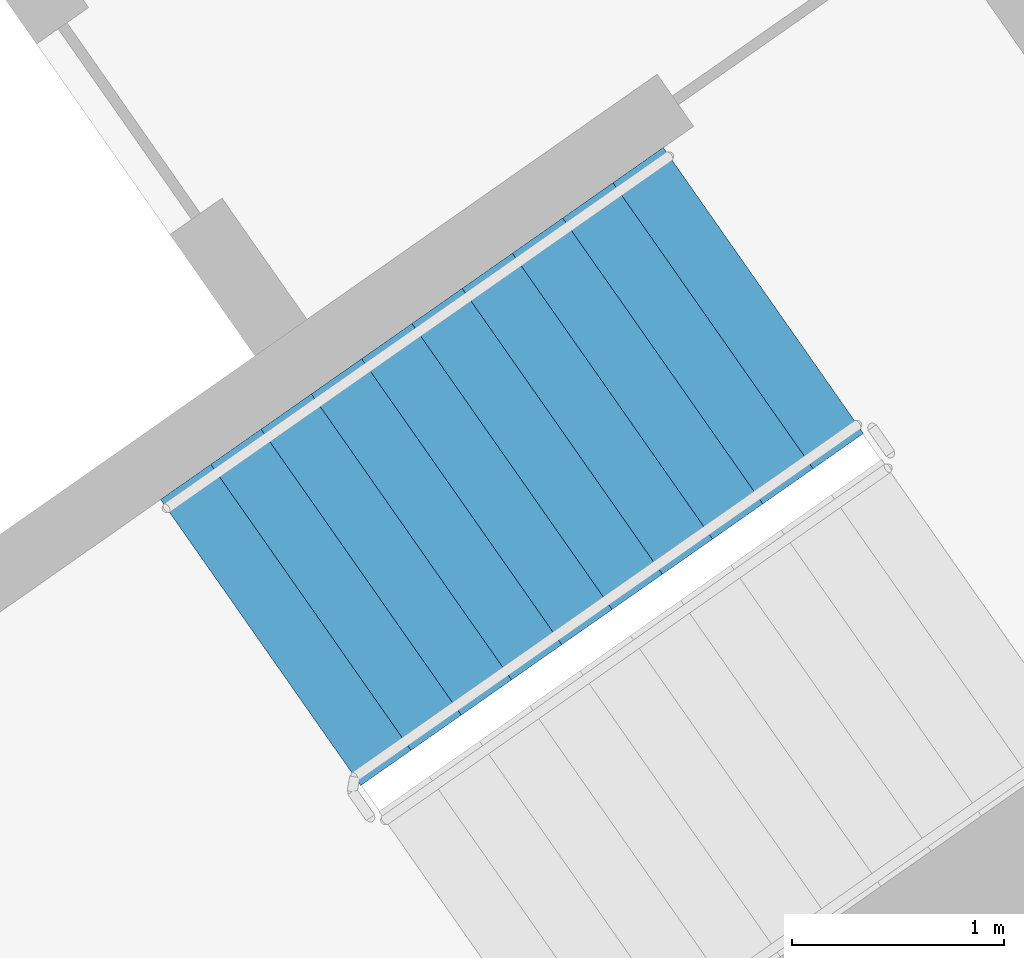
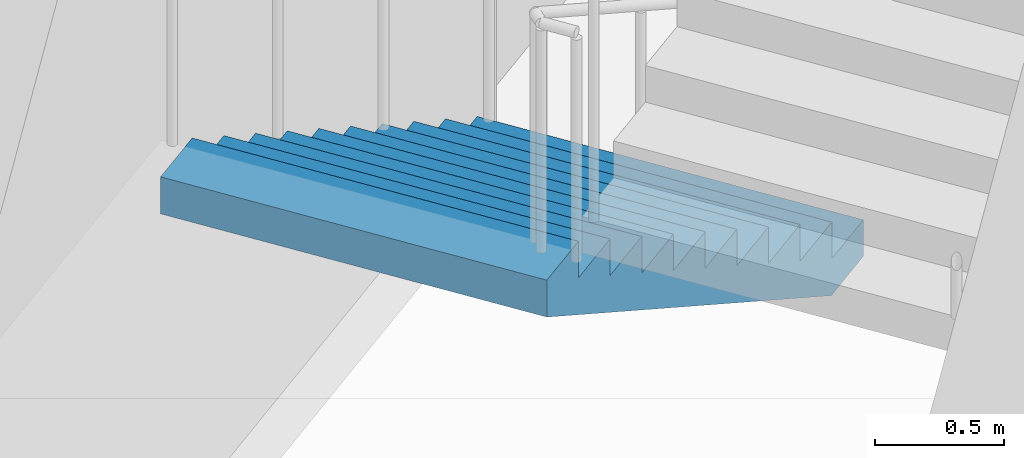
# One storey, part 17 of 30: 1 stair flight, 1 element without a shape of its own.
"""IFC4 building model written with IfcOpenShell, lengths in metres."""

from ifc_helpers import new_model, si_unit, direction, frame, origin, place, context, subcontext, project, spatial, faceted_brep, material, type_object, element, aggregate, save


model = new_model("IFC4")

# Units and contexts
model_context = context("Model", 3, precision=1e-05, world=origin(), true_north=direction((0.0, 1.0)))
body_context = subcontext(model_context, "Body", "Model", "MODEL_VIEW")
ifc_project = project(units=[si_unit("LENGTHUNIT", "METRE"), si_unit("AREAUNIT", "SQUARE_METRE"), si_unit("VOLUMEUNIT", "CUBIC_METRE"), si_unit("PLANEANGLEUNIT", "RADIAN"), si_unit("MASSUNIT", "GRAM", prefix="KILO")], contexts=[model_context])

# Site, building, storey
site_placement = place(None, origin())
site = spatial("IfcSite", under=ifc_project, at=site_placement, CompositionType="ELEMENT")
building_placement = place(site_placement, origin())
building = spatial("IfcBuilding", under=site, at=building_placement, Name="Qamariyya Broadcast Tower", CompositionType="ELEMENT")
storey_placement = place(building_placement, frame((0.0, 0.0, 125.300048828125)))
storey = spatial("IfcBuildingStorey", under=building, at=storey_placement, Name="L28", CompositionType="ELEMENT", Elevation=125.300048828125)

# Stair, stair flight
ifc_material = material(Name="Concrete C50/60", Category="concrete")
stair_type = type_object("IfcStairType", Name="Exit stair 22 risers of 173 mm", PredefinedType="HALF_TURN_STAIR", material=ifc_material)
stair_placement = place(storey_placement, origin())
stair = element("IfcStair", 1, at=stair_placement, inside=storey, type_object=stair_type, Name="L28 Stair E1", PredefinedType="HALF_TURN_STAIR")
stair_flight_type = type_object("IfcStairFlightType", Name="Exit stair flight 11 risers of 173 mm", PredefinedType="STRAIGHT", material=ifc_material)
stair_flight_placement = place(storey_placement, frame((46.036376953125, -55.508056640625, 0.0), z_axis=(0.0, 0.0, 1.0), x_axis=(-0.819152044289, -0.573576436351, 0.0)))
stair_flight = element("IfcStairFlight", 2, at=stair_flight_placement, type_object=stair_flight_type, Name="ST-E1 flight 1", NumberOfRisers=11, NumberOfTreads=10, PredefinedType="STRAIGHT", RiserHeight=0.172727273, TreadLength=0.29, context=body_context, shape_type="Brep", body=[
    faceted_brep([(0.0, 0.824951171875, 0.0), (0.0, 0.824951171875, 0.172607421875), (0.2900390625, 0.824951171875, 0.172607421875), (0.2900390625, 0.824951171875, 0.345458984375), (0.580078125, 0.824951171875, 0.345458984375), (0.580078125, 0.824951171875, 0.51806640625), (0.8701171875, 0.824951171875, 0.51806640625), (0.8701171875, 0.824951171875, 0.69091796875), (1.159912109375, 0.824951171875, 0.69091796875), (1.159912109375, 0.824951171875, 0.863525390625), (1.449951171875, 0.824951171875, 0.863525390625), (1.449951171875, 0.824951171875, 1.036376953125), (1.739990234375, 0.824951171875, 1.036376953125), (1.739990234375, 0.824951171875, 1.208984375), (2.030029296875, 0.824951171875, 1.208984375), (2.030029296875, 0.824951171875, 1.3818359375), (2.320068359375, 0.824951171875, 1.3818359375), (2.320068359375, 0.824951171875, 1.554443359375), (2.610107421875, 0.824951171875, 1.554443359375), (2.610107421875, 0.824951171875, 1.727294921875), (2.89990234375, 0.824951171875, 1.727294921875), (2.89990234375, 0.824951171875, 1.552734375), (0.29296875, 0.824951171875, 0.0), (0.29296875, -0.824951171875, 0.0), (2.89990234375, -0.824951171875, 1.552734375), (2.89990234375, -0.824951171875, 1.727294921875), (2.610107421875, -0.824951171875, 1.727294921875), (2.610107421875, -0.824951171875, 1.554443359375), (2.320068359375, -0.824951171875, 1.554443359375), (2.320068359375, -0.824951171875, 1.3818359375), (2.030029296875, -0.824951171875, 1.3818359375), (2.030029296875, -0.824951171875, 1.208984375), (1.739990234375, -0.824951171875, 1.208984375), (1.739990234375, -0.824951171875, 1.036376953125), (1.449951171875, -0.824951171875, 1.036376953125), (1.449951171875, -0.824951171875, 0.863525390625), (1.159912109375, -0.824951171875, 0.863525390625), (1.159912109375, -0.824951171875, 0.69091796875), (0.8701171875, -0.824951171875, 0.69091796875), (0.8701171875, -0.824951171875, 0.51806640625), (0.580078125, -0.824951171875, 0.51806640625), (0.580078125, -0.824951171875, 0.345458984375), (0.2900390625, -0.824951171875, 0.345458984375), (0.2900390625, -0.824951171875, 0.172607421875), (0.0, -0.824951171875, 0.172607421875), (0.0, -0.824951171875, 0.0), (0.0, 0.10009765625, 0.0), (0.0, 0.086669921875, 0.0), (0.0, 0.0732421875, 0.0), (0.0, 0.06005859375, 0.0), (0.0, 0.046630859375, 0.0), (0.0, 0.033447265625, 0.0), (0.0, 0.02001953125, 0.0), (0.0, 0.006591796875, 0.0), (0.0, -0.006591796875, 0.0), (0.0, -0.02001953125, 0.0), (0.0, -0.033447265625, 0.0), (0.0, -0.046630859375, 0.0), (0.0, -0.06005859375, 0.0), (0.0, -0.0732421875, 0.0), (0.0, -0.086669921875, 0.0), (0.0, -0.10009765625, 0.0), (0.0, -0.10009765625, 0.172607421875), (0.0, -0.086669921875, 0.172607421875), (0.0, -0.0732421875, 0.172607421875), (0.0, -0.06005859375, 0.172607421875), (0.0, -0.046630859375, 0.172607421875), (0.0, -0.033447265625, 0.172607421875), (0.0, -0.02001953125, 0.172607421875), (0.0, -0.006591796875, 0.172607421875), (0.0, 0.006591796875, 0.172607421875), (0.0, 0.02001953125, 0.172607421875), (0.0, 0.033447265625, 0.172607421875), (0.0, 0.046630859375, 0.172607421875), (0.0, 0.06005859375, 0.172607421875), (0.0, 0.0732421875, 0.172607421875), (0.0, 0.086669921875, 0.172607421875), (0.0, 0.10009765625, 0.172607421875), (0.2900390625, -0.10009765625, 0.172607421875), (0.2900390625, -0.086669921875, 0.172607421875), (0.2900390625, -0.0732421875, 0.172607421875), (0.2900390625, -0.06005859375, 0.172607421875), (0.2900390625, -0.046630859375, 0.172607421875), (0.2900390625, -0.033447265625, 0.172607421875), (0.2900390625, -0.02001953125, 0.172607421875), (0.2900390625, -0.006591796875, 0.172607421875), (0.2900390625, 0.006591796875, 0.172607421875), (0.2900390625, 0.02001953125, 0.172607421875), (0.2900390625, 0.033447265625, 0.172607421875), (0.2900390625, 0.046630859375, 0.172607421875), (0.2900390625, 0.06005859375, 0.172607421875), (0.2900390625, 0.0732421875, 0.172607421875), (0.2900390625, 0.086669921875, 0.172607421875), (0.2900390625, 0.10009765625, 0.172607421875), (0.2900390625, -0.10009765625, 0.345458984375), (0.2900390625, -0.086669921875, 0.345458984375), (0.2900390625, -0.0732421875, 0.345458984375), (0.2900390625, -0.06005859375, 0.345458984375), (0.2900390625, -0.046630859375, 0.345458984375), (0.2900390625, -0.033447265625, 0.345458984375), (0.2900390625, -0.02001953125, 0.345458984375), (0.2900390625, -0.006591796875, 0.345458984375), (0.2900390625, 0.006591796875, 0.345458984375), (0.2900390625, 0.02001953125, 0.345458984375), (0.2900390625, 0.033447265625, 0.345458984375), (0.2900390625, 0.046630859375, 0.345458984375), (0.2900390625, 0.06005859375, 0.345458984375), (0.2900390625, 0.0732421875, 0.345458984375), (0.2900390625, 0.086669921875, 0.345458984375), (0.2900390625, 0.10009765625, 0.345458984375), (0.580078125, -0.10009765625, 0.345458984375), (0.580078125, -0.086669921875, 0.345458984375), (0.580078125, -0.0732421875, 0.345458984375), (0.580078125, -0.06005859375, 0.345458984375), (0.580078125, -0.046630859375, 0.345458984375), (0.580078125, -0.033447265625, 0.345458984375), (0.580078125, -0.02001953125, 0.345458984375), (0.580078125, -0.006591796875, 0.345458984375), (0.580078125, 0.006591796875, 0.345458984375), (0.580078125, 0.02001953125, 0.345458984375), (0.580078125, 0.033447265625, 0.345458984375), (0.580078125, 0.046630859375, 0.345458984375), (0.580078125, 0.06005859375, 0.345458984375), (0.580078125, 0.0732421875, 0.345458984375), (0.580078125, 0.086669921875, 0.345458984375), (0.580078125, 0.10009765625, 0.345458984375), (0.580078125, -0.10009765625, 0.51806640625), (0.580078125, -0.086669921875, 0.51806640625), (0.580078125, -0.0732421875, 0.51806640625), (0.580078125, -0.06005859375, 0.51806640625), (0.580078125, -0.046630859375, 0.51806640625), (0.580078125, -0.033447265625, 0.51806640625), (0.580078125, -0.02001953125, 0.51806640625), (0.580078125, -0.006591796875, 0.51806640625), (0.580078125, 0.006591796875, 0.51806640625), (0.580078125, 0.02001953125, 0.51806640625), (0.580078125, 0.033447265625, 0.51806640625), (0.580078125, 0.046630859375, 0.51806640625), (0.580078125, 0.06005859375, 0.51806640625), (0.580078125, 0.0732421875, 0.51806640625), (0.580078125, 0.086669921875, 0.51806640625), (0.580078125, 0.10009765625, 0.51806640625), (0.8701171875, -0.10009765625, 0.51806640625), (0.8701171875, -0.086669921875, 0.51806640625), (0.8701171875, -0.0732421875, 0.51806640625), (0.8701171875, -0.06005859375, 0.51806640625), (0.8701171875, -0.046630859375, 0.51806640625), (0.8701171875, -0.033447265625, 0.51806640625), (0.8701171875, -0.02001953125, 0.51806640625), (0.8701171875, -0.006591796875, 0.51806640625), (0.8701171875, 0.006591796875, 0.51806640625), (0.8701171875, 0.02001953125, 0.51806640625), (0.8701171875, 0.033447265625, 0.51806640625), (0.8701171875, 0.046630859375, 0.51806640625), (0.8701171875, 0.06005859375, 0.51806640625), (0.8701171875, 0.0732421875, 0.51806640625), (0.8701171875, 0.086669921875, 0.51806640625), (0.8701171875, 0.10009765625, 0.51806640625), (0.8701171875, -0.10009765625, 0.69091796875), (0.8701171875, -0.086669921875, 0.69091796875), (0.8701171875, -0.0732421875, 0.69091796875), (0.8701171875, -0.06005859375, 0.69091796875), (0.8701171875, -0.046630859375, 0.69091796875), (0.8701171875, -0.033447265625, 0.69091796875), (0.8701171875, -0.02001953125, 0.69091796875), (0.8701171875, -0.006591796875, 0.69091796875), (0.8701171875, 0.006591796875, 0.69091796875), (0.8701171875, 0.02001953125, 0.69091796875), (0.8701171875, 0.033447265625, 0.69091796875), (0.8701171875, 0.046630859375, 0.69091796875), (0.8701171875, 0.06005859375, 0.69091796875), (0.8701171875, 0.0732421875, 0.69091796875), (0.8701171875, 0.086669921875, 0.69091796875), (0.8701171875, 0.10009765625, 0.69091796875), (1.159912109375, -0.10009765625, 0.69091796875), (1.159912109375, -0.086669921875, 0.69091796875), (1.159912109375, -0.0732421875, 0.69091796875), (1.159912109375, -0.06005859375, 0.69091796875), (1.159912109375, -0.046630859375, 0.69091796875), (1.159912109375, -0.033447265625, 0.69091796875), (1.159912109375, -0.02001953125, 0.69091796875), (1.159912109375, -0.006591796875, 0.69091796875), (1.159912109375, 0.006591796875, 0.69091796875), (1.159912109375, 0.02001953125, 0.69091796875), (1.159912109375, 0.033447265625, 0.69091796875), (1.159912109375, 0.046630859375, 0.69091796875), (1.159912109375, 0.06005859375, 0.69091796875), (1.159912109375, 0.0732421875, 0.69091796875), (1.159912109375, 0.086669921875, 0.69091796875), (1.159912109375, 0.10009765625, 0.69091796875), (1.159912109375, -0.10009765625, 0.863525390625), (1.159912109375, -0.086669921875, 0.863525390625), (1.159912109375, -0.0732421875, 0.863525390625), (1.159912109375, -0.06005859375, 0.863525390625), (1.159912109375, -0.046630859375, 0.863525390625), (1.159912109375, -0.033447265625, 0.863525390625), (1.159912109375, -0.02001953125, 0.863525390625), (1.159912109375, -0.006591796875, 0.863525390625), (1.159912109375, 0.006591796875, 0.863525390625), (1.159912109375, 0.02001953125, 0.863525390625), (1.159912109375, 0.033447265625, 0.863525390625), (1.159912109375, 0.046630859375, 0.863525390625), (1.159912109375, 0.06005859375, 0.863525390625), (1.159912109375, 0.0732421875, 0.863525390625), (1.159912109375, 0.086669921875, 0.863525390625), (1.159912109375, 0.10009765625, 0.863525390625), (1.449951171875, -0.10009765625, 0.863525390625), (1.449951171875, -0.086669921875, 0.863525390625), (1.449951171875, -0.0732421875, 0.863525390625), (1.449951171875, -0.06005859375, 0.863525390625), (1.449951171875, -0.046630859375, 0.863525390625), (1.449951171875, -0.033447265625, 0.863525390625), (1.449951171875, -0.02001953125, 0.863525390625), (1.449951171875, -0.006591796875, 0.863525390625), (1.449951171875, 0.006591796875, 0.863525390625), (1.449951171875, 0.02001953125, 0.863525390625), (1.449951171875, 0.033447265625, 0.863525390625), (1.449951171875, 0.046630859375, 0.863525390625), (1.449951171875, 0.06005859375, 0.863525390625), (1.449951171875, 0.0732421875, 0.863525390625), (1.449951171875, 0.086669921875, 0.863525390625), (1.449951171875, 0.10009765625, 0.863525390625), (1.449951171875, -0.10009765625, 1.036376953125), (1.449951171875, -0.086669921875, 1.036376953125), (1.449951171875, -0.0732421875, 1.036376953125), (1.449951171875, -0.06005859375, 1.036376953125), (1.449951171875, -0.046630859375, 1.036376953125), (1.449951171875, -0.033447265625, 1.036376953125), (1.449951171875, -0.02001953125, 1.036376953125), (1.449951171875, -0.006591796875, 1.036376953125), (1.449951171875, 0.006591796875, 1.036376953125), (1.449951171875, 0.02001953125, 1.036376953125), (1.449951171875, 0.033447265625, 1.036376953125), (1.449951171875, 0.046630859375, 1.036376953125), (1.449951171875, 0.06005859375, 1.036376953125), (1.449951171875, 0.0732421875, 1.036376953125), (1.449951171875, 0.086669921875, 1.036376953125), (1.449951171875, 0.10009765625, 1.036376953125), (1.739990234375, -0.10009765625, 1.036376953125), (1.739990234375, -0.086669921875, 1.036376953125), (1.739990234375, -0.0732421875, 1.036376953125), (1.739990234375, -0.06005859375, 1.036376953125), (1.739990234375, -0.046630859375, 1.036376953125), (1.739990234375, -0.033447265625, 1.036376953125), (1.739990234375, -0.02001953125, 1.036376953125), (1.739990234375, -0.006591796875, 1.036376953125), (1.739990234375, 0.006591796875, 1.036376953125), (1.739990234375, 0.02001953125, 1.036376953125), (1.739990234375, 0.033447265625, 1.036376953125), (1.739990234375, 0.046630859375, 1.036376953125), (1.739990234375, 0.06005859375, 1.036376953125), (1.739990234375, 0.0732421875, 1.036376953125), (1.739990234375, 0.086669921875, 1.036376953125), (1.739990234375, 0.10009765625, 1.036376953125), (1.739990234375, -0.10009765625, 1.208984375), (1.739990234375, -0.086669921875, 1.208984375), (1.739990234375, -0.0732421875, 1.208984375), (1.739990234375, -0.06005859375, 1.208984375), (1.739990234375, -0.046630859375, 1.208984375), (1.739990234375, -0.033447265625, 1.208984375), (1.739990234375, -0.02001953125, 1.208984375), (1.739990234375, -0.006591796875, 1.208984375), (1.739990234375, 0.006591796875, 1.208984375), (1.739990234375, 0.02001953125, 1.208984375), (1.739990234375, 0.033447265625, 1.208984375), (1.739990234375, 0.046630859375, 1.208984375), (1.739990234375, 0.06005859375, 1.208984375), (1.739990234375, 0.0732421875, 1.208984375), (1.739990234375, 0.086669921875, 1.208984375), (1.739990234375, 0.10009765625, 1.208984375), (2.030029296875, -0.10009765625, 1.208984375), (2.030029296875, -0.086669921875, 1.208984375), (2.030029296875, -0.0732421875, 1.208984375), (2.030029296875, -0.06005859375, 1.208984375), (2.030029296875, -0.046630859375, 1.208984375), (2.030029296875, -0.033447265625, 1.208984375), (2.030029296875, -0.02001953125, 1.208984375), (2.030029296875, -0.006591796875, 1.208984375), (2.030029296875, 0.006591796875, 1.208984375), (2.030029296875, 0.02001953125, 1.208984375), (2.030029296875, 0.033447265625, 1.208984375), (2.030029296875, 0.046630859375, 1.208984375), (2.030029296875, 0.06005859375, 1.208984375), (2.030029296875, 0.0732421875, 1.208984375), (2.030029296875, 0.086669921875, 1.208984375), (2.030029296875, 0.10009765625, 1.208984375), (2.030029296875, -0.10009765625, 1.3818359375), (2.030029296875, -0.086669921875, 1.3818359375), (2.030029296875, -0.0732421875, 1.3818359375), (2.030029296875, -0.06005859375, 1.3818359375), (2.030029296875, -0.046630859375, 1.3818359375), (2.030029296875, -0.033447265625, 1.3818359375), (2.030029296875, -0.02001953125, 1.3818359375), (2.030029296875, -0.006591796875, 1.3818359375), (2.030029296875, 0.006591796875, 1.3818359375), (2.030029296875, 0.02001953125, 1.3818359375), (2.030029296875, 0.033447265625, 1.3818359375), (2.030029296875, 0.046630859375, 1.3818359375), (2.030029296875, 0.06005859375, 1.3818359375), (2.030029296875, 0.0732421875, 1.3818359375), (2.030029296875, 0.086669921875, 1.3818359375), (2.030029296875, 0.10009765625, 1.3818359375), (2.320068359375, -0.10009765625, 1.3818359375), (2.320068359375, -0.086669921875, 1.3818359375), (2.320068359375, -0.0732421875, 1.3818359375), (2.320068359375, -0.06005859375, 1.3818359375), (2.320068359375, -0.046630859375, 1.3818359375), (2.320068359375, -0.033447265625, 1.3818359375), (2.320068359375, -0.02001953125, 1.3818359375), (2.320068359375, -0.006591796875, 1.3818359375), (2.320068359375, 0.006591796875, 1.3818359375), (2.320068359375, 0.02001953125, 1.3818359375), (2.320068359375, 0.033447265625, 1.3818359375), (2.320068359375, 0.046630859375, 1.3818359375), (2.320068359375, 0.06005859375, 1.3818359375), (2.320068359375, 0.0732421875, 1.3818359375), (2.320068359375, 0.086669921875, 1.3818359375), (2.320068359375, 0.10009765625, 1.3818359375), (2.320068359375, -0.10009765625, 1.554443359375), (2.320068359375, -0.086669921875, 1.554443359375), (2.320068359375, -0.0732421875, 1.554443359375), (2.320068359375, -0.06005859375, 1.554443359375), (2.320068359375, -0.046630859375, 1.554443359375), (2.320068359375, -0.033447265625, 1.554443359375), (2.320068359375, -0.02001953125, 1.554443359375), (2.320068359375, -0.006591796875, 1.554443359375), (2.320068359375, 0.006591796875, 1.554443359375), (2.320068359375, 0.02001953125, 1.554443359375), (2.320068359375, 0.033447265625, 1.554443359375), (2.320068359375, 0.046630859375, 1.554443359375), (2.320068359375, 0.06005859375, 1.554443359375), (2.320068359375, 0.0732421875, 1.554443359375), (2.320068359375, 0.086669921875, 1.554443359375), (2.320068359375, 0.10009765625, 1.554443359375), (2.610107421875, -0.10009765625, 1.554443359375), (2.610107421875, -0.086669921875, 1.554443359375), (2.610107421875, -0.0732421875, 1.554443359375), (2.610107421875, -0.06005859375, 1.554443359375), (2.610107421875, -0.046630859375, 1.554443359375), (2.610107421875, -0.033447265625, 1.554443359375), (2.610107421875, -0.02001953125, 1.554443359375), (2.610107421875, -0.006591796875, 1.554443359375), (2.610107421875, 0.006591796875, 1.554443359375), (2.610107421875, 0.02001953125, 1.554443359375), (2.610107421875, 0.033447265625, 1.554443359375), (2.610107421875, 0.046630859375, 1.554443359375), (2.610107421875, 0.06005859375, 1.554443359375), (2.610107421875, 0.0732421875, 1.554443359375), (2.610107421875, 0.086669921875, 1.554443359375), (2.610107421875, 0.10009765625, 1.554443359375), (2.610107421875, -0.10009765625, 1.727294921875), (2.610107421875, -0.086669921875, 1.727294921875), (2.610107421875, -0.0732421875, 1.727294921875), (2.610107421875, -0.06005859375, 1.727294921875), (2.610107421875, -0.046630859375, 1.727294921875), (2.610107421875, -0.033447265625, 1.727294921875), (2.610107421875, -0.02001953125, 1.727294921875), (2.610107421875, -0.006591796875, 1.727294921875), (2.610107421875, 0.006591796875, 1.727294921875), (2.610107421875, 0.02001953125, 1.727294921875), (2.610107421875, 0.033447265625, 1.727294921875), (2.610107421875, 0.046630859375, 1.727294921875), (2.610107421875, 0.06005859375, 1.727294921875), (2.610107421875, 0.0732421875, 1.727294921875), (2.610107421875, 0.086669921875, 1.727294921875), (2.610107421875, 0.10009765625, 1.727294921875), (2.89990234375, -0.10009765625, 1.727294921875), (2.89990234375, -0.086669921875, 1.727294921875), (2.89990234375, -0.0732421875, 1.727294921875), (2.89990234375, -0.06005859375, 1.727294921875), (2.89990234375, -0.046630859375, 1.727294921875), (2.89990234375, -0.033447265625, 1.727294921875), (2.89990234375, -0.02001953125, 1.727294921875), (2.89990234375, -0.006591796875, 1.727294921875), (2.89990234375, 0.006591796875, 1.727294921875), (2.89990234375, 0.02001953125, 1.727294921875), (2.89990234375, 0.033447265625, 1.727294921875), (2.89990234375, 0.046630859375, 1.727294921875), (2.89990234375, 0.06005859375, 1.727294921875), (2.89990234375, 0.0732421875, 1.727294921875), (2.89990234375, 0.086669921875, 1.727294921875), (2.89990234375, 0.10009765625, 1.727294921875), (2.89990234375, -0.10009765625, 1.552734375), (2.89990234375, -0.086669921875, 1.552734375), (2.89990234375, -0.0732421875, 1.552734375), (2.89990234375, -0.06005859375, 1.552734375), (2.89990234375, -0.046630859375, 1.552734375), (2.89990234375, -0.033447265625, 1.552734375), (2.89990234375, -0.02001953125, 1.552734375), (2.89990234375, -0.006591796875, 1.552734375), (2.89990234375, 0.006591796875, 1.552734375), (2.89990234375, 0.02001953125, 1.552734375), (2.89990234375, 0.033447265625, 1.552734375), (2.89990234375, 0.046630859375, 1.552734375), (2.89990234375, 0.06005859375, 1.552734375), (2.89990234375, 0.0732421875, 1.552734375), (2.89990234375, 0.086669921875, 1.552734375), (2.89990234375, 0.10009765625, 1.552734375), (0.29296875, -0.10009765625, 0.0), (0.29296875, -0.086669921875, 0.0), (0.29296875, -0.0732421875, 0.0), (0.29296875, -0.06005859375, 0.0), (0.29296875, -0.046630859375, 0.0), (0.29296875, -0.033447265625, 0.0), (0.29296875, -0.02001953125, 0.0), (0.29296875, -0.006591796875, 0.0), (0.29296875, 0.006591796875, 0.0), (0.29296875, 0.02001953125, 0.0), (0.29296875, 0.033447265625, 0.0), (0.29296875, 0.046630859375, 0.0), (0.29296875, 0.06005859375, 0.0), (0.29296875, 0.0732421875, 0.0), (0.29296875, 0.086669921875, 0.0), (0.29296875, 0.10009765625, 0.0)], [[[0, 1, 2, 3, 4, 5, 6, 7, 8, 9, 10, 11, 12, 13, 14, 15, 16, 17, 18, 19, 20, 21, 22]], [[23, 24, 25, 26, 27, 28, 29, 30, 31, 32, 33, 34, 35, 36, 37, 38, 39, 40, 41, 42, 43, 44, 45]], [[0, 46, 47, 48, 49, 50, 51, 52, 53, 54, 55, 56, 57, 58, 59, 60, 61, 45, 44, 62, 63, 64, 65, 66, 67, 68, 69, 70, 71, 72, 73, 74, 75, 76, 77, 1]], [[1, 77, 76, 75, 74, 73, 72, 71, 70, 69, 68, 67, 66, 65, 64, 63, 62, 44, 43, 78, 79, 80, 81, 82, 83, 84, 85, 86, 87, 88, 89, 90, 91, 92, 93, 2]], [[2, 93, 92, 91, 90, 89, 88, 87, 86, 85, 84, 83, 82, 81, 80, 79, 78, 43, 42, 94, 95, 96, 97, 98, 99, 100, 101, 102, 103, 104, 105, 106, 107, 108, 109, 3]], [[3, 109, 108, 107, 106, 105, 104, 103, 102, 101, 100, 99, 98, 97, 96, 95, 94, 42, 41, 110, 111, 112, 113, 114, 115, 116, 117, 118, 119, 120, 121, 122, 123, 124, 125, 4]], [[4, 125, 124, 123, 122, 121, 120, 119, 118, 117, 116, 115, 114, 113, 112, 111, 110, 41, 40, 126, 127, 128, 129, 130, 131, 132, 133, 134, 135, 136, 137, 138, 139, 140, 141, 5]], [[5, 141, 140, 139, 138, 137, 136, 135, 134, 133, 132, 131, 130, 129, 128, 127, 126, 40, 39, 142, 143, 144, 145, 146, 147, 148, 149, 150, 151, 152, 153, 154, 155, 156, 157, 6]], [[6, 157, 156, 155, 154, 153, 152, 151, 150, 149, 148, 147, 146, 145, 144, 143, 142, 39, 38, 158, 159, 160, 161, 162, 163, 164, 165, 166, 167, 168, 169, 170, 171, 172, 173, 7]], [[7, 173, 172, 171, 170, 169, 168, 167, 166, 165, 164, 163, 162, 161, 160, 159, 158, 38, 37, 174, 175, 176, 177, 178, 179, 180, 181, 182, 183, 184, 185, 186, 187, 188, 189, 8]], [[8, 189, 188, 187, 186, 185, 184, 183, 182, 181, 180, 179, 178, 177, 176, 175, 174, 37, 36, 190, 191, 192, 193, 194, 195, 196, 197, 198, 199, 200, 201, 202, 203, 204, 205, 9]], [[9, 205, 204, 203, 202, 201, 200, 199, 198, 197, 196, 195, 194, 193, 192, 191, 190, 36, 35, 206, 207, 208, 209, 210, 211, 212, 213, 214, 215, 216, 217, 218, 219, 220, 221, 10]], [[10, 221, 220, 219, 218, 217, 216, 215, 214, 213, 212, 211, 210, 209, 208, 207, 206, 35, 34, 222, 223, 224, 225, 226, 227, 228, 229, 230, 231, 232, 233, 234, 235, 236, 237, 11]], [[11, 237, 236, 235, 234, 233, 232, 231, 230, 229, 228, 227, 226, 225, 224, 223, 222, 34, 33, 238, 239, 240, 241, 242, 243, 244, 245, 246, 247, 248, 249, 250, 251, 252, 253, 12]], [[12, 253, 252, 251, 250, 249, 248, 247, 246, 245, 244, 243, 242, 241, 240, 239, 238, 33, 32, 254, 255, 256, 257, 258, 259, 260, 261, 262, 263, 264, 265, 266, 267, 268, 269, 13]], [[13, 269, 268, 267, 266, 265, 264, 263, 262, 261, 260, 259, 258, 257, 256, 255, 254, 32, 31, 270, 271, 272, 273, 274, 275, 276, 277, 278, 279, 280, 281, 282, 283, 284, 285, 14]], [[14, 285, 284, 283, 282, 281, 280, 279, 278, 277, 276, 275, 274, 273, 272, 271, 270, 31, 30, 286, 287, 288, 289, 290, 291, 292, 293, 294, 295, 296, 297, 298, 299, 300, 301, 15]], [[15, 301, 300, 299, 298, 297, 296, 295, 294, 293, 292, 291, 290, 289, 288, 287, 286, 30, 29, 302, 303, 304, 305, 306, 307, 308, 309, 310, 311, 312, 313, 314, 315, 316, 317, 16]], [[16, 317, 316, 315, 314, 313, 312, 311, 310, 309, 308, 307, 306, 305, 304, 303, 302, 29, 28, 318, 319, 320, 321, 322, 323, 324, 325, 326, 327, 328, 329, 330, 331, 332, 333, 17]], [[17, 333, 332, 331, 330, 329, 328, 327, 326, 325, 324, 323, 322, 321, 320, 319, 318, 28, 27, 334, 335, 336, 337, 338, 339, 340, 341, 342, 343, 344, 345, 346, 347, 348, 349, 18]], [[18, 349, 348, 347, 346, 345, 344, 343, 342, 341, 340, 339, 338, 337, 336, 335, 334, 27, 26, 350, 351, 352, 353, 354, 355, 356, 357, 358, 359, 360, 361, 362, 363, 364, 365, 19]], [[19, 365, 364, 363, 362, 361, 360, 359, 358, 357, 356, 355, 354, 353, 352, 351, 350, 26, 25, 366, 367, 368, 369, 370, 371, 372, 373, 374, 375, 376, 377, 378, 379, 380, 381, 20]], [[20, 381, 380, 379, 378, 377, 376, 375, 374, 373, 372, 371, 370, 369, 368, 367, 366, 25, 24, 382, 383, 384, 385, 386, 387, 388, 389, 390, 391, 392, 393, 394, 395, 396, 397, 21]], [[21, 397, 396, 395, 394, 393, 392, 391, 390, 389, 388, 387, 386, 385, 384, 383, 382, 24, 23, 398, 399, 400, 401, 402, 403, 404, 405, 406, 407, 408, 409, 410, 411, 412, 413, 22]], [[22, 413, 412, 411, 410, 409, 408, 407, 406, 405, 404, 403, 402, 401, 400, 399, 398, 23, 45, 61, 60, 59, 58, 57, 56, 55, 54, 53, 52, 51, 50, 49, 48, 47, 46, 0]]]),
])
aggregate(stair, [stair_flight])

save(model, "model.ifc")
